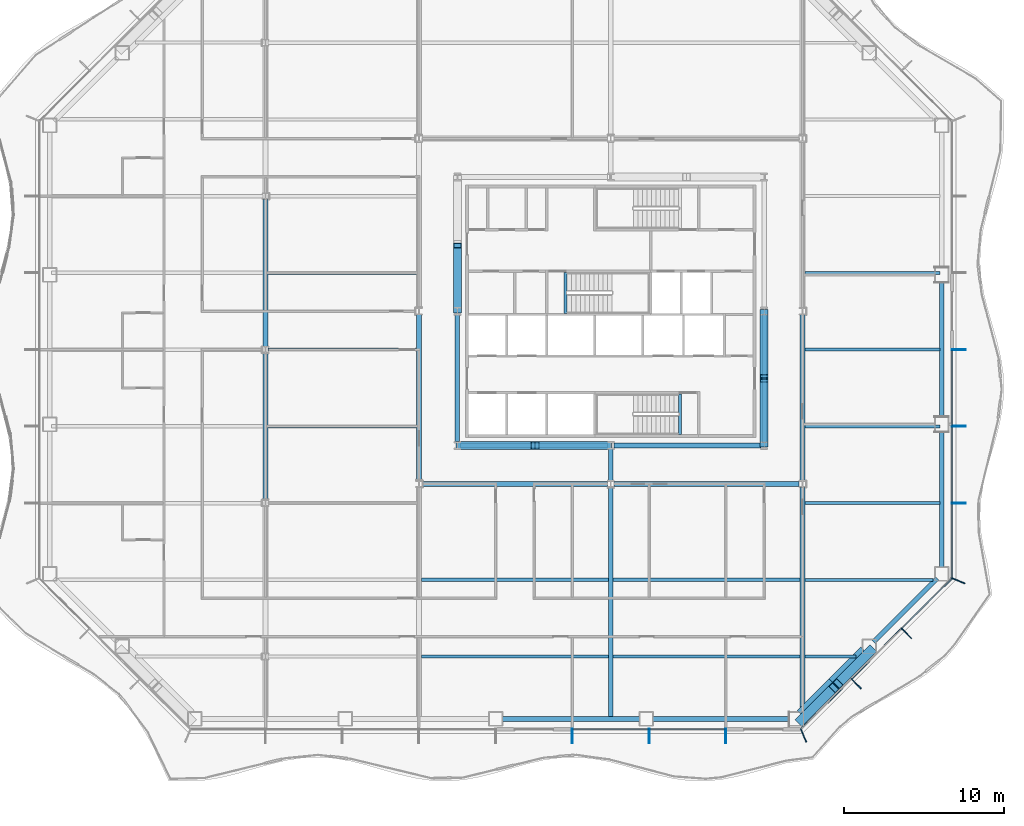
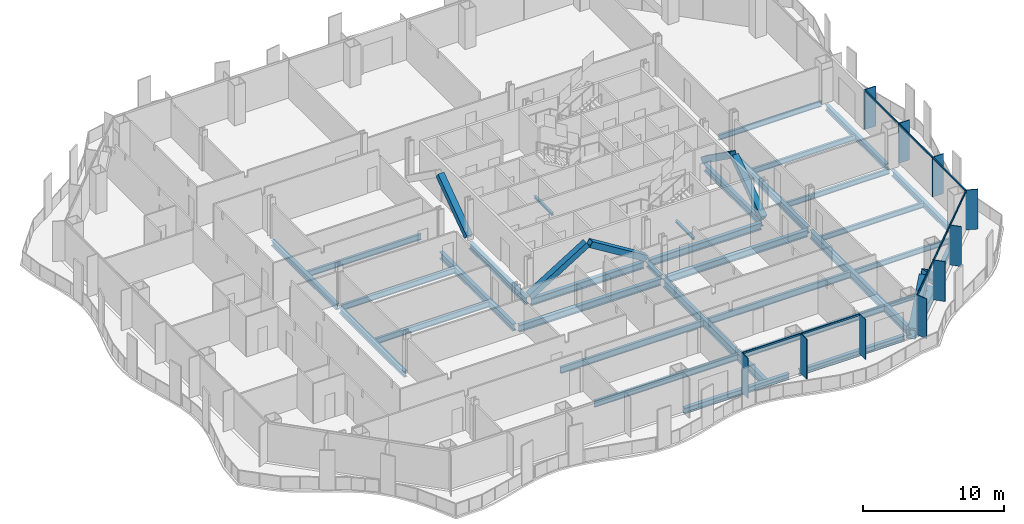
# One storey, part 2 of 17: 35 beams, 25 members, 3 elements without a shape of their own.
"""IFC4 building model written with IfcOpenShell, lengths in metres."""

from ifc_helpers import new_model, si_unit, direction, frame, origin, origin_2d, place, context, subcontext, project, spatial, rectangle, hollow_rectangle, i_section, extrude, material, material_profile, profile_set, type_object, element, aggregate, save


model = new_model("IFC4")

# Units and contexts
model_context = context("Model", 3, precision=1e-05, world=origin(), true_north=direction((0.0, 1.0)))
body_context = subcontext(model_context, "Body", "Model", "MODEL_VIEW")
ifc_project = project(units=[si_unit("LENGTHUNIT", "METRE"), si_unit("AREAUNIT", "SQUARE_METRE"), si_unit("VOLUMEUNIT", "CUBIC_METRE"), si_unit("PLANEANGLEUNIT", "RADIAN"), si_unit("MASSUNIT", "GRAM", prefix="KILO")], contexts=[model_context])

# Site, building, storey
site_placement = place(None, origin())
site = spatial("IfcSite", under=ifc_project, at=site_placement, CompositionType="ELEMENT")
building_placement = place(site_placement, origin())
building = spatial("IfcBuilding", under=site, at=building_placement, Name="Cairn Pilgrim Tower", CompositionType="ELEMENT")
storey_placement = place(building_placement, frame((0.0, 0.0, 79.800048828125)))
storey = spatial("IfcBuildingStorey", under=building, at=storey_placement, Name="L18", CompositionType="ELEMENT", Elevation=79.800048828125)

# Members
ifc_material_1 = material(Name="Structural steel S460M", Category="steel")
ifc_material_profile_1 = material_profile(ifc_material_1, hollow_rectangle(XDim=0.5, YDim=0.5, WallThickness=0.030029296875, at=origin_2d()), Name="BOX 500x500x30")
ifc_profile_set_1 = profile_set([ifc_material_profile_1], Name="Structural steel S460M")
member_type_1 = type_object("IfcMemberType", Name="BOX 500x500x30 BRACE", PredefinedType="BRACE", material=ifc_profile_set_1)
member_1_placement = place(storey_placement, frame((-2.356201171875, -6.0, 0.099853515625), z_axis=(0.850990224345, 0.0, 0.525181528683), x_axis=(0.0, 1.0, 0.0)))
element("IfcMember", 1, at=member_1_placement, inside=storey, type_object=member_type_1, Name="KB-1A", PredefinedType="BRACE", context=body_context, shape_type="SweptSolid", body=[
    extrude(hollow_rectangle(XDim=0.5, YDim=0.5, WallThickness=0.030029296875, at=origin_2d()), origin(), (0.0, 0.0, 1.0), 5.5263671875),
])
member_2_placement = place(storey_placement, frame((7.15625, -6.0, 0.099853515625), z_axis=(-0.851007515624, 0.0, 0.525153509321), x_axis=(0.0, -1.0, 0.0)))
element("IfcMember", 2, at=member_2_placement, inside=storey, type_object=member_type_1, Name="KB-1B", PredefinedType="BRACE", context=body_context, shape_type="SweptSolid", body=[
    extrude(hollow_rectangle(XDim=0.5, YDim=0.5, WallThickness=0.030029296875, at=origin_2d()), origin(), (0.0, 0.0, 1.0), 5.37646484375),
])
member_3_placement = place(storey_placement, frame((16.800048828125, -5.956298828125, 0.099853515625), z_axis=(0.0, 0.814175628242, 0.580618675532), x_axis=(-1.0, 0.0, 0.0)))
element("IfcMember", 3, at=member_3_placement, inside=storey, type_object=member_type_1, Name="KB-2A", PredefinedType="BRACE", context=body_context, shape_type="SweptSolid", body=[
    extrude(hollow_rectangle(XDim=0.5, YDim=0.5, WallThickness=0.030029296875, at=origin_2d()), origin(), (0.0, 0.0, 1.0), 4.99658203125),
])
member_4_placement = place(storey_placement, frame((16.800048828125, 2.356201171875, 0.099853515625), z_axis=(0.0, -0.814159155237, 0.580641774198), x_axis=(1.0, 0.0, 0.0)))
element("IfcMember", 4, at=member_4_placement, inside=storey, type_object=member_type_1, Name="KB-2B", PredefinedType="BRACE", context=body_context, shape_type="SweptSolid", body=[
    extrude(hollow_rectangle(XDim=0.5, YDim=0.5, WallThickness=0.030029296875, at=origin_2d()), origin(), (0.0, 0.0, 1.0), 4.996337890625),
])
member_5_placement = place(storey_placement, frame((-2.39990234375, 2.443603515625, 0.099853515625), z_axis=(0.0, 0.814175628242, 0.580618675532), x_axis=(-1.0, 0.0, 0.0)))
element("IfcMember", 5, at=member_5_placement, inside=storey, type_object=member_type_1, Name="KB-4B", PredefinedType="BRACE", context=body_context, shape_type="SweptSolid", body=[
    extrude(hollow_rectangle(XDim=0.5, YDim=0.5, WallThickness=0.030029296875, at=origin_2d()), origin(), (0.0, 0.0, 1.0), 4.99658203125),
])
ifc_material_profile_2 = material_profile(ifc_material_1, hollow_rectangle(XDim=0.60009765625, YDim=0.60009765625, WallThickness=0.034912109375, at=origin_2d()), Name="BOX 600x600x35")
ifc_profile_set_2 = profile_set([ifc_material_profile_2], Name="Structural steel S460M")
member_type_2 = type_object("IfcMemberType", Name="BOX 600x600x35 BRACE", PredefinedType="BRACE", material=ifc_profile_set_2)
for number, where, z_axis, x_axis, name in (
    (6, (19.078125, -23.2236328125, 0.14990234375), (0.52892212789, 0.52892212789, 0.663688756314), (-0.707106781187, 0.707106781187, 0.0), "XB-SE1-SE2-1"),
    (7, (23.4873046875, -18.814697265625, 0.14990234375), (-0.528939327604, -0.528877844478, 0.663710338426), (0.70706568108, -0.707147878904, 0.0), "XB-SE1-SE2-2"),
):
    element("IfcMember", number, at=place(storey_placement, frame(where, z_axis=z_axis, x_axis=x_axis)), inside=storey, type_object=member_type_2, Name=name, PredefinedType="BRACE", context=body_context, shape_type="SweptSolid", body=[
        extrude(hollow_rectangle(XDim=0.60009765625, YDim=0.60009765625, WallThickness=0.034912109375, at=origin_2d()), origin(), (0.0, 0.0, 1.0), 3.970947265625),
    ])

# Beams
ifc_material_2 = material(Name="Structural steel S355J2", Category="steel")
ifc_material_profile_3 = material_profile(ifc_material_2, hollow_rectangle(XDim=0.699951171875, YDim=0.800048828125, WallThickness=0.0400390625, at=origin_2d()), Name="BOX 700x800x40")
ifc_profile_set_3 = profile_set([ifc_material_profile_3], Name="Structural steel S355J2")
beam_type_1 = type_object("IfcBeamType", Name="BOX 700x800x40 RING GIRDER", PredefinedType="SPANDREL", material=ifc_profile_set_3)
beam_1_placement = place(storey_placement, frame((19.113525390625, -22.813720703125, -0.550048828125), z_axis=(0.707106781187, 0.707106781187, 0.0), x_axis=(-0.707106781187, 0.707106781187, 0.0)))
element("IfcBeam", 8, at=beam_1_placement, inside=storey, type_object=beam_type_1, Name="RG1-SE1-SE2-1", PredefinedType="SPANDREL", context=body_context, shape_type="SweptSolid", body=[
    extrude(hollow_rectangle(XDim=0.699951171875, YDim=0.800048828125, WallThickness=0.0400390625, at=origin_2d()), origin(), (0.0, 0.0, 1.0), 2.802978515625),
])
beam_2_placement = place(storey_placement, frame((21.095458984375, -20.831787109375, -0.550048828125), z_axis=(0.707106781187, 0.707106781187, 0.0), x_axis=(-0.707106781187, 0.707106781187, 0.0)))
element("IfcBeam", 9, at=beam_2_placement, inside=storey, type_object=beam_type_1, Name="RG1-SE1-SE2-2", PredefinedType="SPANDREL", context=body_context, shape_type="SweptSolid", body=[
    extrude(hollow_rectangle(XDim=0.699951171875, YDim=0.800048828125, WallThickness=0.0400390625, at=origin_2d()), origin(), (0.0, 0.0, 1.0), 2.802490234375),
])

# Curtain wall, members
ifc_material_3 = material(Name="Aluminium alloy 6063-T6 bronze anodised with Bronze tinted laminated low-E glass 8+16+8.8", Category="aluminium")
curtain_wall_type_1 = type_object("IfcCurtainWallType", Name="TOWER STICK CURTAIN WALL NS", PredefinedType="NOTDEFINED", material=ifc_material_3)
curtain_wall_1_placement = place(storey_placement, origin())
curtain_wall_1 = element("IfcCurtainWall", 10, at=curtain_wall_1_placement, inside=storey, type_object=curtain_wall_type_1, Name="Tower Stick Curtain Wall Ns S", PredefinedType="NOTDEFINED")
ifc_material_4 = material(Name="Aluminium alloy 6063-T6 bronze anodised", Category="aluminium")
ifc_material_profile_4 = material_profile(ifc_material_4, rectangle(XDim=0.89990234375, YDim=0.06005859375, at=origin_2d()), Name="FIN MULLION 60x900 BRONZE")
ifc_profile_set_4 = profile_set([ifc_material_profile_4], Name="Aluminium alloy 6063-T6 bronze anodised")
member_type_3 = type_object("IfcMemberType", Name="FIN MULLION 60x900 BRONZE", PredefinedType="MULLION", material=ifc_profile_set_4)
member_6_placement = place(storey_placement, frame((4.800048828125, -24.169921875, 0.0), z_axis=(0.0, 0.0, 1.0), x_axis=(0.0, -1.0, 0.0)))
member_6 = element("IfcMember", 11, at=member_6_placement, type_object=member_type_3, Name="Fin mullion S6", PredefinedType="MULLION", context=body_context, shape_type="SweptSolid", body=[
    extrude(rectangle(XDim=0.89990234375, YDim=0.06005859375, at=origin_2d()), origin(), (0.0, 0.0, 1.0), 3.449951171875),
])
member_7_placement = place(storey_placement, frame((9.60009765625, -24.169921875, 0.0), z_axis=(0.0, 0.0, 1.0), x_axis=(0.0, -1.0, 0.0)))
member_7 = element("IfcMember", 12, at=member_7_placement, type_object=member_type_3, Name="Fin mullion S7", PredefinedType="MULLION", context=body_context, shape_type="SweptSolid", body=[
    extrude(rectangle(XDim=0.89990234375, YDim=0.06005859375, at=origin_2d()), origin(), (0.0, 0.0, 1.0), 3.449951171875),
])
member_8_placement = place(storey_placement, frame((14.39990234375, -24.169921875, 0.0), z_axis=(0.0, 0.0, 1.0), x_axis=(0.0, -1.0, 0.0)))
member_8 = element("IfcMember", 13, at=member_8_placement, type_object=member_type_3, Name="Fin mullion S8", PredefinedType="MULLION", context=body_context, shape_type="SweptSolid", body=[
    extrude(rectangle(XDim=0.89990234375, YDim=0.06005859375, at=origin_2d()), origin(), (0.0, 0.0, 1.0), 3.449951171875),
])

curtain_wall_type_2 = type_object("IfcCurtainWallType", Name="CHAMFER CORNER CURTAIN WALL", PredefinedType="NOTDEFINED", material=ifc_material_3)
curtain_wall_2_placement = place(storey_placement, origin())
curtain_wall_2 = element("IfcCurtainWall", 14, at=curtain_wall_2_placement, inside=storey, type_object=curtain_wall_type_2, Name="Chamfer Corner Curtain Wall SE", PredefinedType="NOTDEFINED")
member_9_placement = place(storey_placement, frame((19.257080078125, -24.137939453125, 0.0), z_axis=(0.0, 0.0, 1.0), x_axis=(0.382683432365, -0.923879532511, 0.0)))
member_9 = element("IfcMember", 15, at=member_9_placement, type_object=member_type_3, Name="Fin mullion SE1", PredefinedType="MULLION", context=body_context, shape_type="SweptSolid", body=[
    extrude(rectangle(XDim=0.89990234375, YDim=0.06005859375, at=origin_2d()), origin(), (0.0, 0.0, 1.0), 3.449951171875),
])
member_10_placement = place(storey_placement, frame((22.544677734375, -20.895751953125, 0.0), z_axis=(0.0, 0.0, 1.0), x_axis=(0.707106781187, -0.707106781187, 0.0)))
member_10 = element("IfcMember", 16, at=member_10_placement, type_object=member_type_3, Name="Fin mullion SE2", PredefinedType="MULLION", context=body_context, shape_type="SweptSolid", body=[
    extrude(rectangle(XDim=0.89990234375, YDim=0.06005859375, at=origin_2d()), origin(), (0.0, 0.0, 1.0), 3.449951171875),
])
member_11_placement = place(storey_placement, frame((25.69580078125, -17.74462890625, 0.0), z_axis=(0.0, 0.0, 1.0), x_axis=(0.707106781187, -0.707106781187, 0.0)))
member_11 = element("IfcMember", 17, at=member_11_placement, type_object=member_type_3, Name="Fin mullion SE3", PredefinedType="MULLION", context=body_context, shape_type="SweptSolid", body=[
    extrude(rectangle(XDim=0.89990234375, YDim=0.06005859375, at=origin_2d()), origin(), (0.0, 0.0, 1.0), 3.449951171875),
])

curtain_wall_type_3 = type_object("IfcCurtainWallType", Name="TOWER STICK CURTAIN WALL EW", PredefinedType="NOTDEFINED", material=ifc_material_3)
curtain_wall_3_placement = place(storey_placement, origin())
curtain_wall_3 = element("IfcCurtainWall", 18, at=curtain_wall_3_placement, inside=storey, type_object=curtain_wall_type_3, Name="Tower Stick Curtain Wall Ew E", PredefinedType="NOTDEFINED")
member_12_placement = place(storey_placement, frame((28.93798828125, -14.457275390625, 0.0), z_axis=(0.0, 0.0, 1.0), x_axis=(0.923879532511, -0.382683432365, 0.0)))
member_12 = element("IfcMember", 19, at=member_12_placement, type_object=member_type_3, Name="Fin mullion E1", PredefinedType="MULLION", context=body_context, shape_type="SweptSolid", body=[
    extrude(rectangle(XDim=0.89990234375, YDim=0.06005859375, at=origin_2d()), origin(), (0.0, 0.0, 1.0), 3.449951171875),
])
member_13_placement = place(storey_placement, frame((28.969970703125, -9.60009765625, 0.0), z_axis=(0.0, 0.0, 1.0), x_axis=(1.0, 0.0, 0.0)))
member_13 = element("IfcMember", 20, at=member_13_placement, type_object=member_type_3, Name="Fin mullion E2", PredefinedType="MULLION", context=body_context, shape_type="SweptSolid", body=[
    extrude(rectangle(XDim=0.89990234375, YDim=0.06005859375, at=origin_2d()), origin(), (0.0, 0.0, 1.0), 3.449951171875),
])
member_14_placement = place(storey_placement, frame((28.969970703125, -4.800048828125, 0.0), z_axis=(0.0, 0.0, 1.0), x_axis=(1.0, 0.0, 0.0)))
member_14 = element("IfcMember", 21, at=member_14_placement, type_object=member_type_3, Name="Fin mullion E3", PredefinedType="MULLION", context=body_context, shape_type="SweptSolid", body=[
    extrude(rectangle(XDim=0.89990234375, YDim=0.06005859375, at=origin_2d()), origin(), (0.0, 0.0, 1.0), 3.449951171875),
])
member_15_placement = place(storey_placement, frame((28.969970703125, 0.0, 0.0), z_axis=(0.0, 0.0, 1.0), x_axis=(1.0, 0.0, 0.0)))
member_15 = element("IfcMember", 22, at=member_15_placement, type_object=member_type_3, Name="Fin mullion E4", PredefinedType="MULLION", context=body_context, shape_type="SweptSolid", body=[
    extrude(rectangle(XDim=0.89990234375, YDim=0.06005859375, at=origin_2d()), origin(), (0.0, 0.0, 1.0), 3.449951171875),
])

# Beams
ifc_material_profile_5 = material_profile(ifc_material_2, i_section(OverallWidth=0.300048828125, OverallDepth=0.39990234375, WebThickness=0.013427734375, FlangeThickness=0.02392578125, FilletRadius=0.027099609375, at=origin_2d()), Name="HEB 400")
ifc_profile_set_5 = profile_set([ifc_material_profile_5], Name="Structural steel S355J2")
beam_type_2 = type_object("IfcBeamType", Name="HEB 400 GIRDER", PredefinedType="BEAM", material=ifc_profile_set_5)
beam_3_placement = place(storey_placement, frame((7.199951171875, -8.18798828125, -0.35009765625), z_axis=(0.0, 1.0, 0.0), x_axis=(-1.0, 0.0, 0.0)))
element("IfcBeam", 23, at=beam_3_placement, inside=storey, type_object=beam_type_2, Name="PG3-E1", PredefinedType="BEAM", context=body_context, shape_type="SweptSolid", body=[
    extrude(i_section(OverallWidth=0.300048828125, OverallDepth=0.39990234375, WebThickness=0.013427734375, FlangeThickness=0.02392578125, FilletRadius=0.027099609375, at=origin_2d()), origin(), (0.0, 0.0, 1.0), 1.969482421875),
])
ifc_material_profile_6 = material_profile(ifc_material_2, i_section(OverallWidth=0.300048828125, OverallDepth=0.5, WebThickness=0.014404296875, FlangeThickness=0.028076171875, FilletRadius=0.027099609375, at=origin_2d()), Name="HEB 500")
ifc_profile_set_6 = profile_set([ifc_material_profile_6], Name="Structural steel S355J2")
beam_type_3 = type_object("IfcBeamType", Name="HEB 500 GIRDER", PredefinedType="BEAM", material=ifc_profile_set_6)
for number, where, z_axis, x_axis, name in (
    (24, (-14.39990234375, -9.3955078125, -0.400146484375), (0.0, 1.0, 0.0), (-1.0, 0.0, 0.0), "PG1-3"),
    (25, (-14.39990234375, 0.20458984375, -0.400146484375), (0.0, 1.0, 0.0), (-1.0, 0.0, 0.0), "PG1-4"),
):
    element("IfcBeam", number, at=place(storey_placement, frame(where, z_axis=z_axis, x_axis=x_axis)), inside=storey, type_object=beam_type_3, Name=name, PredefinedType="BEAM", context=body_context, shape_type="SweptSolid", body=[
        extrude(i_section(OverallWidth=0.300048828125, OverallDepth=0.5, WebThickness=0.014404296875, FlangeThickness=0.028076171875, FilletRadius=0.027099609375, at=origin_2d()), origin(), (0.0, 0.0, 1.0), 9.19091796875),
    ])
ifc_material_profile_7 = material_profile(ifc_material_2, i_section(OverallWidth=0.300048828125, OverallDepth=0.5, WebThickness=0.014404296875, FlangeThickness=0.028076171875, FilletRadius=0.027099609375, at=origin_2d()), Name="HEB 500")
ifc_profile_set_7 = profile_set([ifc_material_profile_7], Name="Structural steel S355J2")
beam_type_4 = type_object("IfcBeamType", Name="HEB 500 RING GIRDER", PredefinedType="SPANDREL", material=ifc_profile_set_7)
for number, where, z_axis, x_axis, name in (
    (26, (0.405029296875, -23.10009765625, -0.400146484375), (1.0, 0.0, 0.0), (0.0, 1.0, 0.0), "RG1-S3-S4"),
    (27, (9.818603515625, -23.10009765625, -0.400146484375), (1.0, 0.0, 0.0), (0.0, 1.0, 0.0), "RG1-S4-SE1"),
):
    element("IfcBeam", number, at=place(storey_placement, frame(where, z_axis=z_axis, x_axis=x_axis)), inside=storey, type_object=beam_type_4, Name=name, PredefinedType="SPANDREL", context=body_context, shape_type="SweptSolid", body=[
        extrude(i_section(OverallWidth=0.300048828125, OverallDepth=0.5, WebThickness=0.014404296875, FlangeThickness=0.028076171875, FilletRadius=0.027099609375, at=origin_2d()), origin(), (0.0, 0.0, 1.0), 8.603515625),
    ])
beam_4_placement = place(storey_placement, frame((23.64990234375, -18.277099609375, -0.400146484375), z_axis=(0.707128558756, 0.707085002947, 0.0), x_axis=(-0.707085002947, 0.707128558756, 0.0)))
element("IfcBeam", 28, at=beam_4_placement, inside=storey, type_object=beam_type_4, Name="RG1-SE2-E1", PredefinedType="SPANDREL", context=body_context, shape_type="SweptSolid", body=[
    extrude(i_section(OverallWidth=0.300048828125, OverallDepth=0.5, WebThickness=0.014404296875, FlangeThickness=0.028076171875, FilletRadius=0.027099609375, at=origin_2d()), origin(), (0.0, 0.0, 1.0), 5.605224609375),
])
for number, where, z_axis, x_axis, name in (
    (29, (27.89990234375, -13.622314453125, -0.400146484375), (0.0, 1.0, 0.0), (-1.0, 0.0, 0.0), "RG1-E1-E2"),
    (30, (27.89990234375, -4.270751953125, -0.400146484375), (0.0, 1.0, 0.0), (-1.0, 0.0, 0.0), "RG1-E2-E3"),
):
    element("IfcBeam", number, at=place(storey_placement, frame(where, z_axis=z_axis, x_axis=x_axis)), inside=storey, type_object=beam_type_4, Name=name, PredefinedType="SPANDREL", context=body_context, shape_type="SweptSolid", body=[
        extrude(i_section(OverallWidth=0.300048828125, OverallDepth=0.5, WebThickness=0.014404296875, FlangeThickness=0.028076171875, FilletRadius=0.027099609375, at=origin_2d()), origin(), (0.0, 0.0, 1.0), 8.54150390625),
    ])
ifc_material_profile_8 = material_profile(ifc_material_2, i_section(OverallWidth=0.300048828125, OverallDepth=0.60009765625, WebThickness=0.015380859375, FlangeThickness=0.030029296875, FilletRadius=0.027099609375, at=origin_2d()), Name="HEB 600")
ifc_profile_set_8 = profile_set([ifc_material_profile_8], Name="Structural steel S355J2")
beam_type_5 = type_object("IfcBeamType", Name="HEB 600 CORE BEAM", PredefinedType="BEAM", material=ifc_profile_set_8)
beam_5_placement = place(storey_placement, frame((-2.203369140625, -6.0, -0.449951171875), z_axis=(1.0, 0.0, 0.0), x_axis=(0.0, 1.0, 0.0)))
element("IfcBeam", 31, at=beam_5_placement, inside=storey, type_object=beam_type_5, Name="CB-1", PredefinedType="BEAM", context=body_context, shape_type="SweptSolid", body=[
    extrude(i_section(OverallWidth=0.300048828125, OverallDepth=0.60009765625, WebThickness=0.015380859375, FlangeThickness=0.030029296875, FilletRadius=0.027099609375, at=origin_2d()), origin(), (0.0, 0.0, 1.0), 9.206787109375),
])
beam_6_placement = place(storey_placement, frame((7.396728515625, -6.0, -0.449951171875), z_axis=(1.0, 0.0, 0.0), x_axis=(0.0, 1.0, 0.0)))
element("IfcBeam", 32, at=beam_6_placement, inside=storey, type_object=beam_type_5, Name="CB-2", PredefinedType="BEAM", context=body_context, shape_type="SweptSolid", body=[
    extrude(i_section(OverallWidth=0.300048828125, OverallDepth=0.60009765625, WebThickness=0.015380859375, FlangeThickness=0.030029296875, FilletRadius=0.027099609375, at=origin_2d()), origin(), (0.0, 0.0, 1.0), 9.20654296875),
])
for number, where, z_axis, x_axis, name in (
    (33, (16.800048828125, -5.803466796875, -0.449951171875), (0.0, 1.0, 0.0), (-1.0, 0.0, 0.0), "CB-3"),
    (34, (-2.39990234375, 2.203369140625, -0.449951171875), (0.0, -1.0, 0.0), (1.0, 0.0, 0.0), "CB-8"),
):
    element("IfcBeam", number, at=place(storey_placement, frame(where, z_axis=z_axis, x_axis=x_axis)), inside=storey, type_object=beam_type_5, Name=name, PredefinedType="BEAM", context=body_context, shape_type="SweptSolid", body=[
        extrude(i_section(OverallWidth=0.300048828125, OverallDepth=0.60009765625, WebThickness=0.015380859375, FlangeThickness=0.030029296875, FilletRadius=0.027099609375, at=origin_2d()), origin(), (0.0, 0.0, 1.0), 8.0068359375),
    ])
ifc_material_profile_9 = material_profile(ifc_material_2, i_section(OverallWidth=0.300048828125, OverallDepth=0.60009765625, WebThickness=0.015380859375, FlangeThickness=0.030029296875, FilletRadius=0.027099609375, at=origin_2d()), Name="HEB 600")
ifc_profile_set_9 = profile_set([ifc_material_profile_9], Name="Structural steel S355J2")
beam_type_6 = type_object("IfcBeamType", Name="HEB 600 GIRDER", PredefinedType="BEAM", material=ifc_profile_set_9)
for number, where, z_axis, x_axis, name in (
    (35, (-4.800048828125, -8.18798828125, -0.449951171875), (0.0, 1.0, 0.0), (-1.0, 0.0, 0.0), "PG2-2"),
    (36, (19.199951171875, -8.18798828125, -0.449951171875), (0.0, 1.0, 0.0), (-1.0, 0.0, 0.0), "PG4-2"),
):
    element("IfcBeam", number, at=place(storey_placement, frame(where, z_axis=z_axis, x_axis=x_axis)), inside=storey, type_object=beam_type_6, Name=name, PredefinedType="BEAM", context=body_context, shape_type="SweptSolid", body=[
        extrude(i_section(OverallWidth=0.300048828125, OverallDepth=0.60009765625, WebThickness=0.015380859375, FlangeThickness=0.030029296875, FilletRadius=0.027099609375, at=origin_2d()), origin(), (0.0, 0.0, 1.0), 10.3759765625),
    ])
ifc_material_profile_10 = material_profile(ifc_material_2, i_section(OverallWidth=0.300048828125, OverallDepth=0.60009765625, WebThickness=0.015380859375, FlangeThickness=0.030029296875, FilletRadius=0.027099609375, at=origin_2d()), Name="HEB 600")
ifc_profile_set_10 = profile_set([ifc_material_profile_10], Name="Structural steel S355J2")
beam_type_7 = type_object("IfcBeamType", Name="HEB 600 INNER GIRDER", PredefinedType="BEAM", material=ifc_profile_set_10)
for number, where, z_axis, x_axis, name in (
    (37, (-4.587890625, -8.39990234375, -0.449951171875), (1.0, 0.0, 0.0), (0.0, 1.0, 0.0), "IG1-1"),
    (38, (7.412109375, -8.39990234375, -0.449951171875), (1.0, 0.0, 0.0), (0.0, 1.0, 0.0), "IG1-2"),
):
    element("IfcBeam", number, at=place(storey_placement, frame(where, z_axis=z_axis, x_axis=x_axis)), inside=storey, type_object=beam_type_7, Name=name, PredefinedType="BEAM", context=body_context, shape_type="SweptSolid", body=[
        extrude(i_section(OverallWidth=0.300048828125, OverallDepth=0.60009765625, WebThickness=0.015380859375, FlangeThickness=0.030029296875, FilletRadius=0.027099609375, at=origin_2d()), origin(), (0.0, 0.0, 1.0), 11.575927734375),
    ])
ifc_material_profile_11 = material_profile(ifc_material_2, i_section(OverallWidth=0.300048828125, OverallDepth=0.699951171875, WebThickness=0.01708984375, FlangeThickness=0.031982421875, FilletRadius=0.027099609375, at=origin_2d()), Name="HEB 700")
ifc_profile_set_11 = profile_set([ifc_material_profile_11], Name="Structural steel S355J2")
beam_type_8 = type_object("IfcBeamType", Name="HEB 700 GIRDER", PredefinedType="BEAM", material=ifc_profile_set_11)
beam_7_placement = place(storey_placement, frame((7.199951171875, -22.97998046875, -0.5), z_axis=(0.0, 1.0, 0.0), x_axis=(-1.0, 0.0, 0.0)))
element("IfcBeam", 39, at=beam_7_placement, inside=storey, type_object=beam_type_8, Name="PG3-1", PredefinedType="BEAM", context=body_context, shape_type="SweptSolid", body=[
    extrude(i_section(OverallWidth=0.300048828125, OverallDepth=0.699951171875, WebThickness=0.01708984375, FlangeThickness=0.031982421875, FilletRadius=0.027099609375, at=origin_2d()), origin(), (0.0, 0.0, 1.0), 14.367919921875),
])
beam_8_placement = place(storey_placement, frame((19.199951171875, -22.545166015625, -0.5), z_axis=(0.0, 1.0, 0.0), x_axis=(-1.0, 0.0, 0.0)))
element("IfcBeam", 40, at=beam_8_placement, inside=storey, type_object=beam_type_8, Name="PG4-1", PredefinedType="BEAM", context=body_context, shape_type="SweptSolid", body=[
    extrude(i_section(OverallWidth=0.300048828125, OverallDepth=0.699951171875, WebThickness=0.01708984375, FlangeThickness=0.031982421875, FilletRadius=0.027099609375, at=origin_2d()), origin(), (0.0, 0.0, 1.0), 13.93310546875),
])
ifc_material_profile_12 = material_profile(ifc_material_2, i_section(OverallWidth=0.169921875, OverallDepth=0.360107421875, WebThickness=0.008056640625, FlangeThickness=0.0126953125, FilletRadius=0.01806640625, at=origin_2d()), Name="IPE 360")
ifc_profile_set_12 = profile_set([ifc_material_profile_12], Name="Structural steel S355J2")
beam_type_9 = type_object("IfcBeamType", Name="IPE 360 SECONDARY BEAM", PredefinedType="JOIST", material=ifc_profile_set_12)
beam_9_placement = place(storey_placement, frame((19.35009765625, -19.199951171875, -0.330078125), z_axis=(1.0, 0.0, 0.0), x_axis=(0.0, 1.0, 0.0)))
element("IfcBeam", 41, at=beam_9_placement, inside=storey, type_object=beam_type_9, Name="SB1-5", PredefinedType="JOIST", context=body_context, shape_type="SweptSolid", body=[
    extrude(i_section(OverallWidth=0.169921875, OverallDepth=0.360107421875, WebThickness=0.008056640625, FlangeThickness=0.0126953125, FilletRadius=0.01806640625, at=origin_2d()), origin(), (0.0, 0.0, 1.0), 3.195068359375),
])
ifc_material_profile_13 = material_profile(ifc_material_2, i_section(OverallWidth=0.18994140625, OverallDepth=0.449951171875, WebThickness=0.009521484375, FlangeThickness=0.0146484375, FilletRadius=0.02099609375, at=origin_2d()), Name="IPE 450")
ifc_profile_set_13 = profile_set([ifc_material_profile_13], Name="Structural steel S355J2")
beam_type_10 = type_object("IfcBeamType", Name="IPE 450 SECONDARY BEAM", PredefinedType="JOIST", material=ifc_profile_set_13)
beam_10_placement = place(storey_placement, frame((19.35009765625, -14.39990234375, -0.375), z_axis=(1.0, 0.0, 0.0), x_axis=(0.0, 1.0, 0.0)))
element("IfcBeam", 42, at=beam_10_placement, inside=storey, type_object=beam_type_10, Name="SB2-5", PredefinedType="JOIST", context=body_context, shape_type="SweptSolid", body=[
    extrude(i_section(OverallWidth=0.18994140625, OverallDepth=0.449951171875, WebThickness=0.009521484375, FlangeThickness=0.0146484375, FilletRadius=0.02099609375, at=origin_2d()), origin(), (0.0, 0.0, 1.0), 7.9951171875),
])
for number, where, z_axis, x_axis, name in (
    (43, (19.35009765625, -9.60009765625, -0.375), (1.0, 0.0, 0.0), (0.0, 1.0, 0.0), "SB3-3"),
    (44, (19.35009765625, -4.800048828125, -0.375), (1.0, 0.0, 0.0), (0.0, 1.0, 0.0), "SB4-3"),
    (45, (19.35009765625, 0.0, -0.375), (1.0, 0.0, 0.0), (0.0, 1.0, 0.0), "SB5-3"),
    (46, (19.35009765625, 4.800048828125, -0.375), (1.0, 0.0, 0.0), (0.0, 1.0, 0.0), "SB6-3"),
):
    element("IfcBeam", number, at=place(storey_placement, frame(where, z_axis=z_axis, x_axis=x_axis)), inside=storey, type_object=beam_type_10, Name=name, PredefinedType="JOIST", context=body_context, shape_type="SweptSolid", body=[
        extrude(i_section(OverallWidth=0.18994140625, OverallDepth=0.449951171875, WebThickness=0.009521484375, FlangeThickness=0.0146484375, FilletRadius=0.02099609375, at=origin_2d()), origin(), (0.0, 0.0, 1.0), 8.429931640625),
    ])
ifc_material_profile_14 = material_profile(ifc_material_2, i_section(OverallWidth=0.199951171875, OverallDepth=0.5, WebThickness=0.01025390625, FlangeThickness=0.01611328125, FilletRadius=0.02099609375, at=origin_2d()), Name="IPE 500")
ifc_profile_set_14 = profile_set([ifc_material_profile_14], Name="Structural steel S355J2")
beam_type_11 = type_object("IfcBeamType", Name="IPE 500 SECONDARY BEAM", PredefinedType="JOIST", material=ifc_profile_set_14)
for number, where, z_axis, x_axis, name in (
    (47, (-14.25, -4.800048828125, -0.400146484375), (1.0, 0.0, 0.0), (0.0, 1.0, 0.0), "SB4-2"),
    (48, (-14.25, 0.0, -0.400146484375), (1.0, 0.0, 0.0), (0.0, 1.0, 0.0), "SB5-2"),
    (49, (-14.25, 4.800048828125, -0.400146484375), (1.0, 0.0, 0.0), (0.0, 1.0, 0.0), "SB6-2"),
):
    element("IfcBeam", number, at=place(storey_placement, frame(where, z_axis=z_axis, x_axis=x_axis)), inside=storey, type_object=beam_type_11, Name=name, PredefinedType="JOIST", context=body_context, shape_type="SweptSolid", body=[
        extrude(i_section(OverallWidth=0.199951171875, OverallDepth=0.5, WebThickness=0.01025390625, FlangeThickness=0.01611328125, FilletRadius=0.02099609375, at=origin_2d()), origin(), (0.0, 0.0, 1.0), 9.300048828125),
    ])
ifc_material_profile_15 = material_profile(ifc_material_2, i_section(OverallWidth=0.2099609375, OverallDepth=0.550048828125, WebThickness=0.010986328125, FlangeThickness=0.01708984375, FilletRadius=0.02392578125, at=origin_2d()), Name="IPE 550")
ifc_profile_set_15 = profile_set([ifc_material_profile_15], Name="Structural steel S355J2")
beam_type_12 = type_object("IfcBeamType", Name="IPE 550 SECONDARY BEAM", PredefinedType="JOIST", material=ifc_profile_set_15)
for number, where, z_axis, x_axis, name in (
    (50, (-4.64990234375, -19.199951171875, -0.425048828125), (1.0, 0.0, 0.0), (0.0, 1.0, 0.0), "SB1-3"),
    (51, (7.35009765625, -19.199951171875, -0.425048828125), (1.0, 0.0, 0.0), (0.0, 1.0, 0.0), "SB1-4"),
    (52, (-4.64990234375, -14.39990234375, -0.425048828125), (1.0, 0.0, 0.0), (0.0, 1.0, 0.0), "SB2-3"),
    (53, (7.35009765625, -14.39990234375, -0.425048828125), (1.0, 0.0, 0.0), (0.0, 1.0, 0.0), "SB2-4"),
):
    element("IfcBeam", number, at=place(storey_placement, frame(where, z_axis=z_axis, x_axis=x_axis)), inside=storey, type_object=beam_type_12, Name=name, PredefinedType="JOIST", context=body_context, shape_type="SweptSolid", body=[
        extrude(i_section(OverallWidth=0.2099609375, OverallDepth=0.550048828125, WebThickness=0.010986328125, FlangeThickness=0.01708984375, FilletRadius=0.02392578125, at=origin_2d()), origin(), (0.0, 0.0, 1.0), 11.699951171875),
    ])
ifc_material_profile_16 = material_profile(ifc_material_2, i_section(OverallWidth=0.199951171875, OverallDepth=0.199951171875, WebThickness=0.009033203125, FlangeThickness=0.014892578125, FilletRadius=0.01806640625, at=origin_2d()), Name="HE 200 B")
ifc_profile_set_16 = profile_set([ifc_material_profile_16], Name="Structural steel S355J2")
beam_type_13 = type_object("IfcBeamType", Name="STAIR LANDING BEAM HE 200 B", PredefinedType="BEAM", material=ifc_profile_set_16)
beam_11_placement = place(storey_placement, frame((11.5244140625, -2.77490234375, -0.25), z_axis=(0.0, -1.0, 0.0), x_axis=(1.0, 0.0, 0.0)))
element("IfcBeam", 54, at=beam_11_placement, inside=storey, type_object=beam_type_13, Name="STAIR LANDING BEAM LD-HE200B", PredefinedType="BEAM", context=body_context, shape_type="SweptSolid", body=[
    extrude(i_section(OverallWidth=0.199951171875, OverallDepth=0.199951171875, WebThickness=0.009033203125, FlangeThickness=0.014892578125, FilletRadius=0.01806640625, at=origin_2d()), origin(), (0.0, 0.0, 1.0), 2.525146484375),
])
beam_12_placement = place(storey_placement, frame((4.37548828125, 2.27490234375, -0.25), z_axis=(0.0, 1.0, 0.0), x_axis=(-1.0, 0.0, 0.0)))
element("IfcBeam", 55, at=beam_12_placement, inside=storey, type_object=beam_type_13, Name="STAIR LANDING BEAM LD-HE200B", PredefinedType="BEAM", context=body_context, shape_type="SweptSolid", body=[
    extrude(i_section(OverallWidth=0.199951171875, OverallDepth=0.199951171875, WebThickness=0.009033203125, FlangeThickness=0.014892578125, FilletRadius=0.01806640625, at=origin_2d()), origin(), (0.0, 0.0, 1.0), 2.550048828125),
])

# Member
ifc_material_profile_17 = material_profile(ifc_material_4, rectangle(XDim=0.080078125, YDim=0.14990234375, at=origin_2d()), Name="TRANSOM 80x150 BRONZE")
ifc_profile_set_17 = profile_set([ifc_material_profile_17], Name="Aluminium alloy 6063-T6 bronze anodised")
member_type_4 = type_object("IfcMemberType", Name="TRANSOM 80x150 BRONZE", PredefinedType="USERDEFINED", material=ifc_profile_set_17)
member_16_placement = place(storey_placement, frame((4.830078125, -23.75, 3.375), z_axis=(1.0, 0.0, 0.0), x_axis=(0.0, 1.0, 0.0)))
member_16 = element("IfcMember", 56, at=member_16_placement, type_object=member_type_4, Name="Transom S6", ObjectType="TRANSOM", PredefinedType="USERDEFINED", context=body_context, shape_type="SweptSolid", body=[
    extrude(rectangle(XDim=0.080078125, YDim=0.14990234375, at=origin_2d()), origin(), (0.0, 0.0, 1.0), 4.739990234375),
])

member_17_placement = place(storey_placement, frame((9.6298828125, -23.75, 3.375), z_axis=(1.0, 0.0, 0.0), x_axis=(0.0, 1.0, 0.0)))
member_17 = element("IfcMember", 57, at=member_17_placement, type_object=member_type_4, Name="Transom S7", ObjectType="TRANSOM", PredefinedType="USERDEFINED", context=body_context, shape_type="SweptSolid", body=[
    extrude(rectangle(XDim=0.080078125, YDim=0.14990234375, at=origin_2d()), origin(), (0.0, 0.0, 1.0), 4.740234375),
])

aggregate(curtain_wall_1, [member_6, member_7, member_8, member_16, member_17])

member_18_placement = place(storey_placement, frame((19.124755859375, -23.7216796875, 3.375), z_axis=(0.707106781187, 0.707106781187, 0.0), x_axis=(-0.707106781187, 0.707106781187, 0.0)))
member_18 = element("IfcMember", 58, at=member_18_placement, type_object=member_type_4, Name="Transom SE1", ObjectType="TRANSOM", PredefinedType="USERDEFINED", context=body_context, shape_type="SweptSolid", body=[
    extrude(rectangle(XDim=0.080078125, YDim=0.14990234375, at=origin_2d()), origin(), (0.0, 0.0, 1.0), 4.38623046875),
])

member_19_placement = place(storey_placement, frame((22.268798828125, -20.57763671875, 3.375), z_axis=(0.707106781187, 0.707106781187, 0.0), x_axis=(-0.707106781187, 0.707106781187, 0.0)))
member_19 = element("IfcMember", 59, at=member_19_placement, type_object=member_type_4, Name="Transom SE2", ObjectType="TRANSOM", PredefinedType="USERDEFINED", context=body_context, shape_type="SweptSolid", body=[
    extrude(rectangle(XDim=0.080078125, YDim=0.14990234375, at=origin_2d()), origin(), (0.0, 0.0, 1.0), 4.396728515625),
])

member_20_placement = place(storey_placement, frame((25.419921875, -17.426513671875, 3.375), z_axis=(0.707106781187, 0.707106781187, 0.0), x_axis=(-0.707106781187, 0.707106781187, 0.0)))
member_20 = element("IfcMember", 60, at=member_20_placement, type_object=member_type_4, Name="Transom SE3", ObjectType="TRANSOM", PredefinedType="USERDEFINED", context=body_context, shape_type="SweptSolid", body=[
    extrude(rectangle(XDim=0.080078125, YDim=0.14990234375, at=origin_2d()), origin(), (0.0, 0.0, 1.0), 4.38671875),
])

aggregate(curtain_wall_2, [member_9, member_10, member_11, member_18, member_19, member_20])

member_21_placement = place(storey_placement, frame((28.550048828125, -14.25634765625, 3.375), z_axis=(0.0, 1.0, 0.0), x_axis=(-1.0, 0.0, 0.0)))
member_21 = element("IfcMember", 61, at=member_21_placement, type_object=member_type_4, Name="Transom E1", ObjectType="TRANSOM", PredefinedType="USERDEFINED", context=body_context, shape_type="SweptSolid", body=[
    extrude(rectangle(XDim=0.080078125, YDim=0.14990234375, at=origin_2d()), origin(), (0.0, 0.0, 1.0), 4.62646484375),
])

member_22_placement = place(storey_placement, frame((28.550048828125, -9.570068359375, 3.375), z_axis=(0.0, 1.0, 0.0), x_axis=(-1.0, 0.0, 0.0)))
member_22 = element("IfcMember", 62, at=member_22_placement, type_object=member_type_4, Name="Transom E2", ObjectType="TRANSOM", PredefinedType="USERDEFINED", context=body_context, shape_type="SweptSolid", body=[
    extrude(rectangle(XDim=0.080078125, YDim=0.14990234375, at=origin_2d()), origin(), (0.0, 0.0, 1.0), 4.739990234375),
])

member_23_placement = place(storey_placement, frame((28.550048828125, -4.77001953125, 3.375), z_axis=(0.0, 1.0, 0.0), x_axis=(-1.0, 0.0, 0.0)))
member_23 = element("IfcMember", 63, at=member_23_placement, type_object=member_type_4, Name="Transom E3", ObjectType="TRANSOM", PredefinedType="USERDEFINED", context=body_context, shape_type="SweptSolid", body=[
    extrude(rectangle(XDim=0.080078125, YDim=0.14990234375, at=origin_2d()), origin(), (0.0, 0.0, 1.0), 4.739990234375),
])

aggregate(curtain_wall_3, [member_12, member_13, member_14, member_15, member_21, member_22, member_23])

save(model, "model.ifc")
